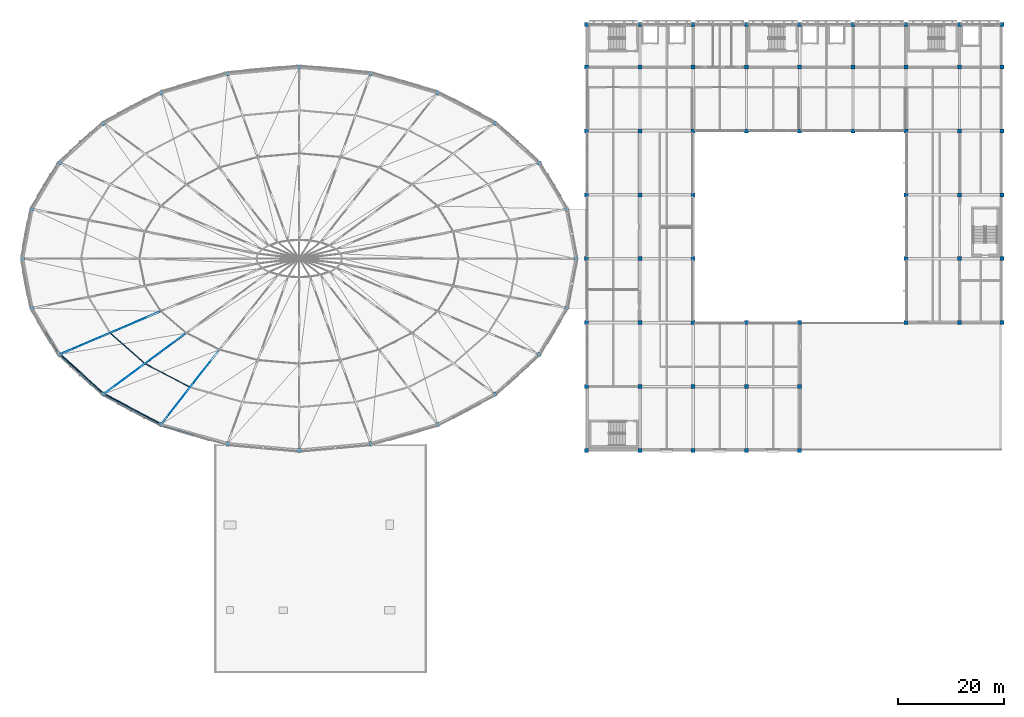
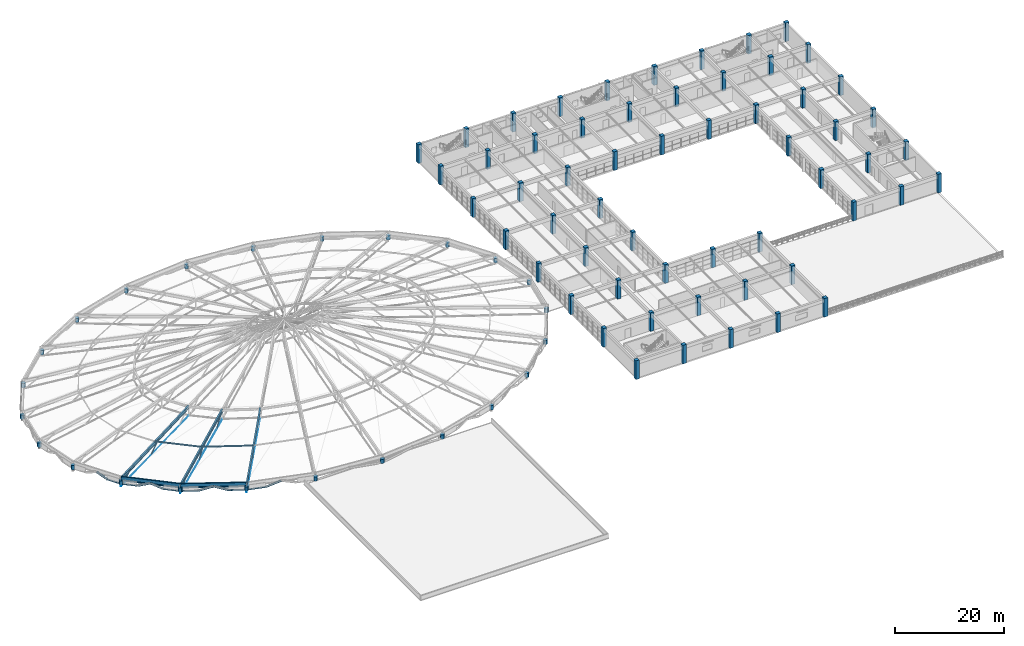
# One storey, part 1 of 83: 81 columns, 19 beams, 12 members.
"""IFC4 building model written with IfcOpenShell, lengths in metres."""

from ifc_helpers import new_model, si_unit, direction, frame, origin, origin_2d, place, context, subcontext, project, spatial, rectangle, hollow_rectangle, circle, i_section, extrude, material, material_profile, profile_set, type_object, element, save


model = new_model("IFC4")

# Units and contexts
model_context = context("Model", 3, precision=1e-05, world=origin(), true_north=direction((0.0, 1.0)))
body_context = subcontext(model_context, "Body", "Model", "MODEL_VIEW")
ifc_project = project(units=[si_unit("LENGTHUNIT", "METRE"), si_unit("AREAUNIT", "SQUARE_METRE"), si_unit("VOLUMEUNIT", "CUBIC_METRE"), si_unit("PLANEANGLEUNIT", "RADIAN"), si_unit("MASSUNIT", "GRAM", prefix="KILO")], contexts=[model_context])

# Site, building, storey
site_placement = place(None, origin())
site = spatial("IfcSite", under=ifc_project, at=site_placement, CompositionType="ELEMENT")
building_placement = place(site_placement, origin())
building = spatial("IfcBuilding", under=site, at=building_placement, Name="Kivolera Central Railway Station", CompositionType="ELEMENT")
storey_placement = place(building_placement, frame((0.0, 0.0, 14.39990234375)))
storey = spatial("IfcBuildingStorey", under=building, at=storey_placement, Name="L03", CompositionType="ELEMENT", Elevation=14.39990234375)

# Columns
ifc_material_1 = material(Name="Concrete C40/50", Category="concrete")
ifc_material_profile_1 = material_profile(ifc_material_1, rectangle(XDim=0.75, YDim=0.75, at=origin_2d()), Name="RC 750x750")
ifc_profile_set_1 = profile_set([ifc_material_profile_1], Name="Concrete C40/50")
column_type_1 = type_object("IfcColumnType", Name="COL-RC-750", PredefinedType="COLUMN", material=ifc_profile_set_1)
for number, where, z_axis, x_axis, name in (
    (1, (118.0, 54.0, 0.0), (0.0, 0.0, 1.0), (1.0, 0.0, 0.0), "L03 Wing Column 12-E"),
    (2, (118.0, 66.0, 0.0), (0.0, 0.0, 1.0), (1.0, 0.0, 0.0), "L03 Wing Column 12-F"),
    (3, (118.0, 78.0, 0.0), (0.0, 0.0, 1.0), (1.0, 0.0, 0.0), "L03 Wing Column 12-G"),
    (4, (118.0, 90.0, 0.0), (0.0, 0.0, 1.0), (1.0, 0.0, 0.0), "L03 Wing Column 12-H"),
    (5, (118.0, 102.0, 0.0), (0.0, 0.0, 1.0), (1.0, 0.0, 0.0), "L03 Wing Column 12-J"),
    (6, (118.0, 114.0, 0.0), (0.0, 0.0, 1.0), (1.0, 0.0, 0.0), "L03 Wing Column 12-K"),
    (7, (118.0, 126.0, 0.0), (0.0, 0.0, 1.0), (1.0, 0.0, 0.0), "L03 Wing Column 12-L"),
    (8, (118.0, 134.0, 0.0), (0.0, 0.0, 1.0), (1.0, 0.0, 0.0), "L03 Wing Column 12-M"),
    (9, (128.0, 54.0, 0.0), (0.0, 0.0, 1.0), (1.0, 0.0, 0.0), "L03 Wing Column 13-E"),
    (10, (128.0, 66.0, 0.0), (0.0, 0.0, 1.0), (1.0, 0.0, 0.0), "L03 Wing Column 13-F"),
    (11, (128.0, 78.0, 0.0), (0.0, 0.0, 1.0), (1.0, 0.0, 0.0), "L03 Wing Column 13-G"),
    (12, (128.0, 90.0, 0.0), (0.0, 0.0, 1.0), (1.0, 0.0, 0.0), "L03 Wing Column 13-H"),
    (13, (128.0, 102.0, 0.0), (0.0, 0.0, 1.0), (1.0, 0.0, 0.0), "L03 Wing Column 13-J"),
    (14, (128.0, 114.0, 0.0), (0.0, 0.0, 1.0), (1.0, 0.0, 0.0), "L03 Wing Column 13-K"),
    (15, (128.0, 126.0, 0.0), (0.0, 0.0, 1.0), (1.0, 0.0, 0.0), "L03 Wing Column 13-L"),
    (16, (128.0, 134.0, 0.0), (0.0, 0.0, 1.0), (1.0, 0.0, 0.0), "L03 Wing Column 13-M"),
    (17, (138.0, 54.0, 0.0), (0.0, 0.0, 1.0), (1.0, 0.0, 0.0), "L03 Wing Column 14-E"),
    (18, (138.0, 66.0, 0.0), (0.0, 0.0, 1.0), (1.0, 0.0, 0.0), "L03 Wing Column 14-F"),
    (19, (138.0, 78.0, 0.0), (0.0, 0.0, 1.0), (1.0, 0.0, 0.0), "L03 Wing Column 14-G"),
    (20, (138.0, 90.0, 0.0), (0.0, 0.0, 1.0), (1.0, 0.0, 0.0), "L03 Wing Column 14-H"),
    (21, (138.0, 102.0, 0.0), (0.0, 0.0, 1.0), (1.0, 0.0, 0.0), "L03 Wing Column 14-J"),
    (22, (138.0, 114.0, 0.0), (0.0, 0.0, 1.0), (1.0, 0.0, 0.0), "L03 Wing Column 14-K"),
    (23, (138.0, 126.0, 0.0), (0.0, 0.0, 1.0), (1.0, 0.0, 0.0), "L03 Wing Column 14-L"),
    (24, (138.0, 134.0, 0.0), (0.0, 0.0, 1.0), (1.0, 0.0, 0.0), "L03 Wing Column 14-M"),
    (25, (148.0, 54.0, 0.0), (0.0, 0.0, 1.0), (1.0, 0.0, 0.0), "L03 Wing Column 15-E"),
    (26, (148.0, 66.0, 0.0), (0.0, 0.0, 1.0), (1.0, 0.0, 0.0), "L03 Wing Column 15-F"),
    (27, (148.0, 78.0, 0.0), (0.0, 0.0, 1.0), (1.0, 0.0, 0.0), "L03 Wing Column 15-G"),
    (28, (148.0, 114.0, 0.0), (0.0, 0.0, 1.0), (1.0, 0.0, 0.0), "L03 Wing Column 15-K"),
    (29, (148.0, 126.0, 0.0), (0.0, 0.0, 1.0), (1.0, 0.0, 0.0), "L03 Wing Column 15-L"),
    (30, (148.0, 134.0, 0.0), (0.0, 0.0, 1.0), (1.0, 0.0, 0.0), "L03 Wing Column 15-M"),
    (31, (158.0, 54.0, 0.0), (0.0, 0.0, 1.0), (1.0, 0.0, 0.0), "L03 Wing Column 16-E"),
    (32, (158.0, 66.0, 0.0), (0.0, 0.0, 1.0), (1.0, 0.0, 0.0), "L03 Wing Column 16-F"),
    (33, (158.0, 78.0, 0.0), (0.0, 0.0, 1.0), (1.0, 0.0, 0.0), "L03 Wing Column 16-G"),
    (34, (158.0, 114.0, 0.0), (0.0, 0.0, 1.0), (1.0, 0.0, 0.0), "L03 Wing Column 16-K"),
    (35, (158.0, 126.0, 0.0), (0.0, 0.0, 1.0), (1.0, 0.0, 0.0), "L03 Wing Column 16-L"),
    (36, (158.0, 134.0, 0.0), (0.0, 0.0, 1.0), (1.0, 0.0, 0.0), "L03 Wing Column 16-M"),
    (37, (168.0, 114.0, 0.0), (0.0, 0.0, 1.0), (1.0, 0.0, 0.0), "L03 Wing Column 17-K"),
    (38, (168.0, 126.0, 0.0), (0.0, 0.0, 1.0), (1.0, 0.0, 0.0), "L03 Wing Column 17-L"),
    (39, (168.0, 134.0, 0.0), (0.0, 0.0, 1.0), (1.0, 0.0, 0.0), "L03 Wing Column 17-M"),
    (40, (178.0, 78.0, 0.0), (0.0, 0.0, 1.0), (1.0, 0.0, 0.0), "L03 Wing Column 18-G"),
    (41, (178.0, 90.0, 0.0), (0.0, 0.0, 1.0), (1.0, 0.0, 0.0), "L03 Wing Column 18-H"),
    (42, (178.0, 102.0, 0.0), (0.0, 0.0, 1.0), (1.0, 0.0, 0.0), "L03 Wing Column 18-J"),
    (43, (178.0, 114.0, 0.0), (0.0, 0.0, 1.0), (1.0, 0.0, 0.0), "L03 Wing Column 18-K"),
    (44, (178.0, 126.0, 0.0), (0.0, 0.0, 1.0), (1.0, 0.0, 0.0), "L03 Wing Column 18-L"),
    (45, (178.0, 134.0, 0.0), (0.0, 0.0, 1.0), (1.0, 0.0, 0.0), "L03 Wing Column 18-M"),
    (46, (188.0, 78.0, 0.0), (0.0, 0.0, 1.0), (1.0, 0.0, 0.0), "L03 Wing Column 19-G"),
    (47, (188.0, 90.0, 0.0), (0.0, 0.0, 1.0), (1.0, 0.0, 0.0), "L03 Wing Column 19-H"),
    (48, (188.0, 102.0, 0.0), (0.0, 0.0, 1.0), (1.0, 0.0, 0.0), "L03 Wing Column 19-J"),
    (49, (188.0, 114.0, 0.0), (0.0, 0.0, 1.0), (1.0, 0.0, 0.0), "L03 Wing Column 19-K"),
    (50, (188.0, 126.0, 0.0), (0.0, 0.0, 1.0), (1.0, 0.0, 0.0), "L03 Wing Column 19-L"),
    (51, (188.0, 134.0, 0.0), (0.0, 0.0, 1.0), (1.0, 0.0, 0.0), "L03 Wing Column 19-M"),
    (52, (196.0, 78.0, 0.0), (0.0, 0.0, 1.0), (1.0, 0.0, 0.0), "L03 Wing Column 20-G"),
    (53, (196.0, 90.0, 0.0), (0.0, 0.0, 1.0), (1.0, 0.0, 0.0), "L03 Wing Column 20-H"),
    (54, (196.0, 102.0, 0.0), (0.0, 0.0, 1.0), (1.0, 0.0, 0.0), "L03 Wing Column 20-J"),
    (55, (196.0, 114.0, 0.0), (0.0, 0.0, 1.0), (1.0, 0.0, 0.0), "L03 Wing Column 20-K"),
    (56, (196.0, 126.0, 0.0), (0.0, 0.0, 1.0), (1.0, 0.0, 0.0), "L03 Wing Column 20-L"),
    (57, (196.0, 134.0, 0.0), (0.0, 0.0, 1.0), (1.0, 0.0, 0.0), "L03 Wing Column 20-M"),
):
    element("IfcColumn", number, at=place(storey_placement, frame(where, z_axis=z_axis, x_axis=x_axis)), inside=storey, type_object=column_type_1, Name=name, PredefinedType="COLUMN", context=body_context, shape_type="SweptSolid", body=[
        extrude(rectangle(XDim=0.75, YDim=0.75, at=origin_2d()), origin(), (0.0, 0.0, 1.0), 4.2001953125),
    ])
ifc_material_profile_2 = material_profile(ifc_material_1, circle(Radius=0.39990234375, at=origin_2d()), Name="RC D800")
ifc_profile_set_2 = profile_set([ifc_material_profile_2], Name="Concrete C40/50")
column_type_2 = type_object("IfcColumnType", Name="COL-RC-D800", PredefinedType="COLUMN", material=ifc_profile_set_2)
for number, where, z_axis, x_axis, name in (
    (58, (116.0, 90.0, 0.0), (0.0, 0.0, 1.0), (1.0, 0.0, 0.0), "L03 Oval Drum Perimeter Column P01"),
    (59, (114.22802734375, 99.31689453125, 0.0), (0.0, 0.0, 1.0), (1.0, 0.0, 0.0), "L03 Oval Drum Perimeter Column P02"),
    (60, (109.032958984375, 108.0, 0.0), (0.0, 0.0, 1.0), (1.0, 0.0, 0.0), "L03 Oval Drum Perimeter Column P03"),
    (61, (100.77001953125, 115.4560546875, 0.0), (0.0, 0.0, 1.0), (1.0, 0.0, 0.0), "L03 Oval Drum Perimeter Column P04"),
    (62, (90.0, 121.177001953125, 0.0), (0.0, 0.0, 1.0), (1.0, 0.0, 0.0), "L03 Oval Drum Perimeter Column P05"),
    (63, (77.458984375, 124.77294921875, 0.0), (0.0, 0.0, 1.0), (1.0, 0.0, 0.0), "L03 Oval Drum Perimeter Column P06"),
    (64, (64.0, 126.0, 0.0), (0.0, 0.0, 1.0), (1.0, 0.0, 0.0), "L03 Oval Drum Perimeter Column P07"),
    (65, (50.541015625, 124.77294921875, 0.0), (0.0, 0.0, 1.0), (1.0, 0.0, 0.0), "L03 Oval Drum Perimeter Column P08"),
    (66, (38.0, 121.177001953125, 0.0), (0.0, 0.0, 1.0), (1.0, 0.0, 0.0), "L03 Oval Drum Perimeter Column P09"),
    (67, (27.22998046875, 115.4560546875, 0.0), (0.0, 0.0, 1.0), (1.0, 0.0, 0.0), "L03 Oval Drum Perimeter Column P10"),
    (68, (18.967041015625, 108.0, 0.0), (0.0, 0.0, 1.0), (1.0, 0.0, 0.0), "L03 Oval Drum Perimeter Column P11"),
    (69, (13.77197265625, 99.31689453125, 0.0), (0.0, 0.0, 1.0), (1.0, 0.0, 0.0), "L03 Oval Drum Perimeter Column P12"),
    (70, (12.0, 90.0, 0.0), (0.0, 0.0, 1.0), (1.0, 0.0, 0.0), "L03 Oval Drum Perimeter Column P13"),
    (71, (13.77197265625, 80.68310546875, 0.0), (0.0, 0.0, 1.0), (1.0, 0.0, 0.0), "L03 Oval Drum Perimeter Column P14"),
    (72, (18.967041015625, 72.0, 0.0), (0.0, 0.0, 1.0), (1.0, 0.0, 0.0), "L03 Oval Drum Perimeter Column P15"),
    (73, (27.22998046875, 64.5439453125, 0.0), (0.0, 0.0, 1.0), (1.0, 0.0, 0.0), "L03 Oval Drum Perimeter Column P16"),
    (74, (38.0, 58.822998046875, 0.0), (0.0, 0.0, 1.0), (1.0, 0.0, 0.0), "L03 Oval Drum Perimeter Column P17"),
    (75, (50.541015625, 55.22705078125, 0.0), (0.0, 0.0, 1.0), (1.0, 0.0, 0.0), "L03 Oval Drum Perimeter Column P18"),
    (76, (64.0, 54.0, 0.0), (0.0, 0.0, 1.0), (1.0, 0.0, 0.0), "L03 Oval Drum Perimeter Column P19"),
    (77, (77.458984375, 55.22705078125, 0.0), (0.0, 0.0, 1.0), (1.0, 0.0, 0.0), "L03 Oval Drum Perimeter Column P20"),
    (78, (90.0, 58.822998046875, 0.0), (0.0, 0.0, 1.0), (1.0, 0.0, 0.0), "L03 Oval Drum Perimeter Column P21"),
    (79, (100.77001953125, 64.5439453125, 0.0), (0.0, 0.0, 1.0), (1.0, 0.0, 0.0), "L03 Oval Drum Perimeter Column P22"),
    (80, (109.032958984375, 72.0, 0.0), (0.0, 0.0, 1.0), (1.0, 0.0, 0.0), "L03 Oval Drum Perimeter Column P23"),
    (81, (114.22802734375, 80.68310546875, 0.0), (0.0, 0.0, 1.0), (1.0, 0.0, 0.0), "L03 Oval Drum Perimeter Column P24"),
):
    element("IfcColumn", number, at=place(storey_placement, frame(where, z_axis=z_axis, x_axis=x_axis)), inside=storey, type_object=column_type_2, Name=name, PredefinedType="COLUMN", context=body_context, shape_type="SweptSolid", body=[
        extrude(circle(Radius=0.39990234375, at=origin_2d()), origin(), (0.0, 0.0, 1.0), 0.960205078125),
    ])

# Beams
ifc_material_2 = material(Name="Steel S355", Category="steel")
ifc_material_profile_3 = material_profile(ifc_material_2, hollow_rectangle(XDim=0.14990234375, YDim=0.300048828125, WallThickness=0.012451171875, at=origin_2d()), Name="RHS 300x150x12.5")
ifc_profile_set_3 = profile_set([ifc_material_profile_3], Name="Steel S355")
beam_type_1 = type_object("IfcBeamType", Name="BM-ARCH-HOOD", PredefinedType="SPANDREL", material=ifc_profile_set_3)
beam_1_placement = place(storey_placement, frame((19.327880859375, 71.8701171875, 0.735107421875), z_axis=(0.742399938854, -0.669956961894, 0.0), x_axis=(0.669956961894, 0.742399938854, 0.0)))
element("IfcBeam", 82, at=beam_1_placement, inside=storey, type_object=beam_type_1, Name="Lantern Spandrel Hood Beam 15", PredefinedType="SPANDREL", context=body_context, shape_type="SweptSolid", body=[
    extrude(hollow_rectangle(XDim=0.14990234375, YDim=0.300048828125, WallThickness=0.012451171875, at=origin_2d()), origin(), (0.0, 0.0, 1.0), 10.42041015625),
])
beam_2_placement = place(storey_placement, frame((27.612060546875, 64.506103515625, 0.735107421875), z_axis=(0.883122599964, -0.46914227419, 0.0), x_axis=(0.46914227419, 0.883122599964, 0.0)))
element("IfcBeam", 83, at=beam_2_placement, inside=storey, type_object=beam_type_1, Name="Lantern Spandrel Hood Beam 16", PredefinedType="SPANDREL", context=body_context, shape_type="SweptSolid", body=[
    extrude(hollow_rectangle(XDim=0.14990234375, YDim=0.300048828125, WallThickness=0.012451171875, at=origin_2d()), origin(), (0.0, 0.0, 1.0), 11.485107421875),
])
ifc_material_profile_4 = material_profile(ifc_material_2, i_section(OverallWidth=0.300048828125, OverallDepth=0.699951171875, WebThickness=0.01708984375, FlangeThickness=0.031982421875, FilletRadius=0.027099609375, at=origin_2d()), Name="HEB 700")
ifc_profile_set_4 = profile_set([ifc_material_profile_4], Name="Steel S355")
beam_type_2 = type_object("IfcBeamType", Name="BM-DRB-HEB700", PredefinedType="BEAM", material=ifc_profile_set_4)
beam_3_placement = place(storey_placement, frame((18.967041015625, 72.0, 1.18017578125), z_axis=(0.897967287965, 0.382951053263, 0.216802307528), x_axis=(-0.392281255326, 0.919845322171, 0.0)))
element("IfcBeam", 84, at=beam_3_placement, inside=storey, type_object=beam_type_2, Name="Oval Dome Radial Arch Rib Outer Segment DRB1-15", PredefinedType="BEAM", context=body_context, shape_type="SweptSolid", body=[
    extrude(i_section(OverallWidth=0.300048828125, OverallDepth=0.699951171875, WebThickness=0.01708984375, FlangeThickness=0.031982421875, FilletRadius=0.027099609375, at=origin_2d()), origin(), (0.0, 0.0, 1.0), 21.216796875),
])
beam_4_placement = place(storey_placement, frame((38.0, 58.822998046875, 1.18017578125), z_axis=(0.596376430402, 0.762982212751, 0.249385838184), x_axis=(-0.787875774428, 0.61583420177, 0.0)))
element("IfcBeam", 85, at=beam_4_placement, inside=storey, type_object=beam_type_2, Name="Oval Dome Radial Arch Rib Outer Segment DRB1-17", PredefinedType="BEAM", context=body_context, shape_type="SweptSolid", body=[
    extrude(i_section(OverallWidth=0.300048828125, OverallDepth=0.699951171875, WebThickness=0.01708984375, FlangeThickness=0.031982421875, FilletRadius=0.027099609375, at=origin_2d()), origin(), (0.0, 0.0, 1.0), 18.44482421875),
])
ifc_material_profile_5 = material_profile(ifc_material_2, i_section(OverallWidth=0.300048828125, OverallDepth=0.800048828125, WebThickness=0.017578125, FlangeThickness=0.032958984375, FilletRadius=0.030029296875, at=origin_2d()), Name="HEB 800")
ifc_profile_set_5 = profile_set([ifc_material_profile_5], Name="Steel S355")
beam_type_3 = type_object("IfcBeamType", Name="BM-DRB-HEB800", PredefinedType="BEAM", material=ifc_profile_set_5)
beam_5_placement = place(storey_placement, frame((27.22998046875, 64.5439453125, 1.18017578125), z_axis=(0.782541033898, 0.578008518918, 0.231377791338), x_axis=(-0.594130867833, 0.804368393143, 0.0)))
element("IfcBeam", 86, at=beam_5_placement, inside=storey, type_object=beam_type_3, Name="Oval Dome Radial Arch Rib Outer Segment DRB1-16", PredefinedType="BEAM", context=body_context, shape_type="SweptSolid", body=[
    extrude(i_section(OverallWidth=0.300048828125, OverallDepth=0.800048828125, WebThickness=0.017578125, FlangeThickness=0.032958984375, FilletRadius=0.030029296875, at=origin_2d()), origin(), (0.0, 0.0, 1.0), 19.88037109375),
])
ifc_material_profile_6 = material_profile(ifc_material_2, i_section(OverallWidth=0.300048828125, OverallDepth=0.300048828125, WebThickness=0.010986328125, FlangeThickness=0.01904296875, FilletRadius=0.027099609375, at=origin_2d()), Name="HEB 300")
ifc_profile_set_6 = profile_set([ifc_material_profile_6], Name="Steel S355")
beam_type_4 = type_object("IfcBeamType", Name="BM-LANT-ARCH", PredefinedType="SPANDREL", material=ifc_profile_set_6)
beam_6_placement = place(storey_placement, frame((16.26708984375, 76.280029296875, 1.06005859375), z_axis=(0.476772627919, -0.797265877485, -0.370209375713), x_axis=(0.85824565616, 0.513239119399, 0.0)))
element("IfcBeam", 87, at=beam_6_placement, inside=storey, type_object=beam_type_4, Name="Oval Lantern Structural Arch Rib 14.4", PredefinedType="SPANDREL", context=body_context, shape_type="SweptSolid", body=[
    extrude(i_section(OverallWidth=0.300048828125, OverallDepth=0.300048828125, WebThickness=0.010986328125, FlangeThickness=0.01904296875, FilletRadius=0.027099609375, at=origin_2d()), origin(), (0.0, 0.0, 1.0), 2.430908203125),
])
for number, where, z_axis, x_axis, name in (
    (88, (21.160888671875, 69.85791015625, 0.16015625), (0.698764882595, -0.630146850874, 0.338589109668), (0.669703326013, 0.742628746499, 0.0), "Oval Lantern Structural Arch Rib 15.3"),
    (89, (23.01806640625, 68.18310546875, 1.06005859375), (0.698677422423, -0.630242676209, -0.338591241001), (0.669805712586, 0.742536401389, 0.0), "Oval Lantern Structural Arch Rib 15.4"),
):
    element("IfcBeam", number, at=place(storey_placement, frame(where, z_axis=z_axis, x_axis=x_axis)), inside=storey, type_object=beam_type_4, Name=name, PredefinedType="SPANDREL", context=body_context, shape_type="SweptSolid", body=[
        extrude(i_section(OverallWidth=0.300048828125, OverallDepth=0.300048828125, WebThickness=0.010986328125, FlangeThickness=0.01904296875, FilletRadius=0.027099609375, at=origin_2d()), origin(), (0.0, 0.0, 1.0), 2.65771484375),
    ])
beam_7_placement = place(storey_placement, frame((30.1240234375, 62.87109375, 0.16015625), z_axis=(0.839588818924, -0.44588951011, 0.310279164483), x_axis=(0.469038686522, 0.883177621176, 0.0)))
element("IfcBeam", 90, at=beam_7_placement, inside=storey, type_object=beam_type_4, Name="Oval Lantern Structural Arch Rib 16.3", PredefinedType="SPANDREL", context=body_context, shape_type="SweptSolid", body=[
    extrude(i_section(OverallWidth=0.300048828125, OverallDepth=0.300048828125, WebThickness=0.010986328125, FlangeThickness=0.01904296875, FilletRadius=0.027099609375, at=origin_2d()), origin(), (0.0, 0.0, 1.0), 2.900390625),
])
beam_8_placement = place(storey_placement, frame((32.55908203125, 61.577880859375, 1.06005859375), z_axis=(0.839369949803, -0.44624944668, -0.310353860465), x_axis=(0.469429350258, 0.882970036364, 0.0)))
element("IfcBeam", 91, at=beam_8_placement, inside=storey, type_object=beam_type_4, Name="Oval Lantern Structural Arch Rib 16.4", PredefinedType="SPANDREL", context=body_context, shape_type="SweptSolid", body=[
    extrude(i_section(OverallWidth=0.300048828125, OverallDepth=0.300048828125, WebThickness=0.010986328125, FlangeThickness=0.01904296875, FilletRadius=0.027099609375, at=origin_2d()), origin(), (0.0, 0.0, 1.0), 2.899658203125),
])
beam_9_placement = place(storey_placement, frame((41.39111328125, 57.72607421875, 0.16015625), z_axis=(0.919706547271, -0.263753880718, 0.290815675838), x_axis=(0.275668522884, 0.961252758379, 0.0)))
element("IfcBeam", 92, at=beam_9_placement, inside=storey, type_object=beam_type_4, Name="Oval Lantern Structural Arch Rib 17.3", PredefinedType="SPANDREL", context=body_context, shape_type="SweptSolid", body=[
    extrude(i_section(OverallWidth=0.300048828125, OverallDepth=0.300048828125, WebThickness=0.010986328125, FlangeThickness=0.01904296875, FilletRadius=0.027099609375, at=origin_2d()), origin(), (0.0, 0.0, 1.0), 3.094482421875),
])
ifc_material_profile_7 = material_profile(ifc_material_2, i_section(OverallWidth=0.239990234375, OverallDepth=0.22998046875, WebThickness=0.007568359375, FlangeThickness=0.011962890625, FilletRadius=0.02099609375, at=origin_2d()), Name="HEA 240")
ifc_profile_set_7 = profile_set([ifc_material_profile_7], Name="Steel S355")
beam_type_5 = type_object("IfcBeamType", Name="BM-LANT-HTIE", PredefinedType="SPANDREL", material=ifc_profile_set_7)
beam_10_placement = place(storey_placement, frame((17.426025390625, 74.342041015625, 0.16015625), z_axis=(0.51340920348, -0.858143921369, 0.0), x_axis=(0.858143921369, 0.51340920348, 0.0)))
element("IfcBeam", 93, at=beam_10_placement, inside=storey, type_object=beam_type_5, Name="Lantern Arch Spandrel Haunch Tie 14R", PredefinedType="SPANDREL", context=body_context, shape_type="SweptSolid", body=[
    extrude(i_section(OverallWidth=0.239990234375, OverallDepth=0.22998046875, WebThickness=0.007568359375, FlangeThickness=0.011962890625, FilletRadius=0.02099609375, at=origin_2d()), origin(), (0.0, 0.0, 1.0), 2.446044921875),
])
for number, where, z_axis, x_axis, name in (
    (94, (19.14990234375, 71.673095703125, 0.16015625), (0.742320957903, -0.670044472746, 0.0), (0.670044472746, 0.742320957903, 0.0), "Lantern Arch Spandrel Haunch Tie 15L"),
    (95, (24.875, 66.508056640625, 0.16015625), (0.742365783712, -0.669994808318, 0.0), (0.669994808318, 0.742365783712, 0.0), "Lantern Arch Spandrel Haunch Tie 15R"),
):
    element("IfcBeam", number, at=place(storey_placement, frame(where, z_axis=z_axis, x_axis=x_axis)), inside=storey, type_object=beam_type_5, Name=name, PredefinedType="SPANDREL", context=body_context, shape_type="SweptSolid", body=[
        extrude(i_section(OverallWidth=0.239990234375, OverallDepth=0.22998046875, WebThickness=0.007568359375, FlangeThickness=0.011962890625, FilletRadius=0.02099609375, at=origin_2d()), origin(), (0.0, 0.0, 1.0), 2.708984375),
    ])
for number, where, z_axis, x_axis, name in (
    (96, (27.487060546875, 64.27099609375, 0.16015625), (0.883252264421, -0.468898109822, 0.0), (0.468898109822, 0.883252264421, 0.0), "Lantern Arch Spandrel Haunch Tie 16L"),
    (97, (34.992919921875, 60.283935546875, 0.16015625), (0.883252264421, -0.468898109822, 0.0), (0.468898109822, 0.883252264421, 0.0), "Lantern Arch Spandrel Haunch Tie 16R"),
):
    element("IfcBeam", number, at=place(storey_placement, frame(where, z_axis=z_axis, x_axis=x_axis)), inside=storey, type_object=beam_type_5, Name=name, PredefinedType="SPANDREL", context=body_context, shape_type="SweptSolid", body=[
        extrude(i_section(OverallWidth=0.239990234375, OverallDepth=0.22998046875, WebThickness=0.007568359375, FlangeThickness=0.011962890625, FilletRadius=0.02099609375, at=origin_2d()), origin(), (0.0, 0.0, 1.0), 2.985595703125),
    ])
beam_11_placement = place(storey_placement, frame((38.30810546875, 58.610107421875, 0.16015625), z_axis=(0.961262114071, -0.275635897612, 0.0), x_axis=(0.275635897612, 0.961262114071, 0.0)))
element("IfcBeam", 98, at=beam_11_placement, inside=storey, type_object=beam_type_5, Name="Lantern Arch Spandrel Haunch Tie 17L", PredefinedType="SPANDREL", context=body_context, shape_type="SweptSolid", body=[
    extrude(i_section(OverallWidth=0.239990234375, OverallDepth=0.22998046875, WebThickness=0.007568359375, FlangeThickness=0.011962890625, FilletRadius=0.02099609375, at=origin_2d()), origin(), (0.0, 0.0, 1.0), 3.207275390625),
])
ifc_material_profile_8 = material_profile(ifc_material_2, i_section(OverallWidth=0.300048828125, OverallDepth=0.89990234375, WebThickness=0.0185546875, FlangeThickness=0.034912109375, FilletRadius=0.030029296875, at=origin_2d()), Name="HEB 900")
ifc_profile_set_8 = profile_set([ifc_material_profile_8], Name="Steel S355")
beam_type_6 = type_object("IfcBeamType", Name="BM-ORB-HEB900", PredefinedType="BEAM", material=ifc_profile_set_8)
beam_12_placement = place(storey_placement, frame((18.967041015625, 72.0, 1.35009765625), z_axis=(0.74242638035, -0.669927660095, 0.0), x_axis=(0.669927660095, 0.74242638035, 0.0)))
element("IfcBeam", 99, at=beam_12_placement, inside=storey, type_object=beam_type_6, Name="Oval Dome Compression Ring Beam ORB-15", PredefinedType="BEAM", context=body_context, shape_type="SweptSolid", body=[
    extrude(i_section(OverallWidth=0.300048828125, OverallDepth=0.89990234375, WebThickness=0.0185546875, FlangeThickness=0.034912109375, FilletRadius=0.030029296875, at=origin_2d()), origin(), (0.0, 0.0, 1.0), 11.129638671875),
])
beam_13_placement = place(storey_placement, frame((27.22998046875, 64.5439453125, 1.35009765625), z_axis=(0.883136972992, -0.469115217122, 0.0), x_axis=(0.469115217122, 0.883136972992, 0.0)))
element("IfcBeam", 100, at=beam_13_placement, inside=storey, type_object=beam_type_6, Name="Oval Dome Compression Ring Beam ORB-16", PredefinedType="BEAM", context=body_context, shape_type="SweptSolid", body=[
    extrude(i_section(OverallWidth=0.300048828125, OverallDepth=0.89990234375, WebThickness=0.0185546875, FlangeThickness=0.034912109375, FilletRadius=0.030029296875, at=origin_2d()), origin(), (0.0, 0.0, 1.0), 12.195068359375),
])

# Members
ifc_material_3 = material(Name="Spiral strand steel S460", Category="steel")
ifc_material_profile_9 = material_profile(ifc_material_3, circle(Radius=0.031982421875, at=origin_2d()), Name="CABLE D64")
ifc_profile_set_9 = profile_set([ifc_material_profile_9], Name="Spiral strand steel S460")
member_type_1 = type_object("IfcMemberType", Name="MEM-CABLE-D64", PredefinedType="USERDEFINED", material=ifc_profile_set_9)
member_1_placement = place(storey_placement, frame((18.967041015625, 72.0, -0.449951171875), z_axis=(0.901242554001, 0.384347837528, 0.200096473347), x_axis=(-0.392281255326, 0.919845322171, 0.0)))
element("IfcMember", 101, at=member_1_placement, inside=storey, type_object=member_type_1, Name="Dome Radial Spiral-Strand Tension Cable RC1-15", ObjectType="TENSION_CABLE", PredefinedType="USERDEFINED", context=body_context, shape_type="SweptSolid", body=[
    extrude(circle(Radius=0.031982421875, at=origin_2d()), origin(), (0.0, 0.0, 1.0), 21.1396484375),
])
member_2_placement = place(storey_placement, frame((27.22998046875, 64.5439453125, -0.449951171875), z_axis=(0.785794449216, 0.580411590051, 0.213657365229), x_axis=(-0.594130867833, 0.804368393143, 0.0)))
element("IfcMember", 102, at=member_2_placement, inside=storey, type_object=member_type_1, Name="Dome Radial Spiral-Strand Tension Cable RC1-16", ObjectType="TENSION_CABLE", PredefinedType="USERDEFINED", context=body_context, shape_type="SweptSolid", body=[
    extrude(circle(Radius=0.031982421875, at=origin_2d()), origin(), (0.0, 0.0, 1.0), 19.7978515625),
])
member_3_placement = place(storey_placement, frame((38.0, 58.822998046875, -0.449951171875), z_axis=(0.599259744519, 0.766671019472, 0.23044154682), x_axis=(-0.787875774428, 0.61583420177, 0.0)))
element("IfcMember", 103, at=member_3_placement, inside=storey, type_object=member_type_1, Name="Dome Radial Spiral-Strand Tension Cable RC1-17", ObjectType="TENSION_CABLE", PredefinedType="USERDEFINED", context=body_context, shape_type="SweptSolid", body=[
    extrude(circle(Radius=0.031982421875, at=origin_2d()), origin(), (0.0, 0.0, 1.0), 18.35595703125),
])
ifc_material_profile_10 = material_profile(ifc_material_2, i_section(OverallWidth=0.1201171875, OverallDepth=0.239990234375, WebThickness=0.006103515625, FlangeThickness=0.009765625, FilletRadius=0.014892578125, at=origin_2d()), Name="IPE 240")
ifc_profile_set_10 = profile_set([ifc_material_profile_10], Name="Steel S355")
member_type_2 = type_object("IfcMemberType", Name="MEM-PUR-IPE240", PredefinedType="PURLIN", material=ifc_profile_set_10)
member_4_placement = place(storey_placement, frame((28.492919921875, 76.06201171875, 3.775146484375), z_axis=(0.748507030998, -0.663126854038, 0.0), x_axis=(0.663126854038, 0.748507030998, 0.0)))
element("IfcMember", 104, at=member_4_placement, inside=storey, type_object=member_type_2, Name="Dome Outer Hoop Purlin DPUR1-15", PredefinedType="PURLIN", context=body_context, shape_type="SweptSolid", body=[
    extrude(i_section(OverallWidth=0.1201171875, OverallDepth=0.239990234375, WebThickness=0.006103515625, FlangeThickness=0.009765625, FilletRadius=0.014892578125, at=origin_2d()), origin(), (0.0, 0.0, 1.0), 8.7041015625),
])
member_5_placement = place(storey_placement, frame((35.008056640625, 70.2900390625, 3.775146484375), z_axis=(0.886560303413, -0.462613043928, 0.0), x_axis=(0.462613043928, 0.886560303413, 0.0)))
element("IfcMember", 105, at=member_5_placement, inside=storey, type_object=member_type_2, Name="Dome Outer Hoop Purlin DPUR1-16", PredefinedType="PURLIN", context=body_context, shape_type="SweptSolid", body=[
    extrude(i_section(OverallWidth=0.1201171875, OverallDepth=0.239990234375, WebThickness=0.006103515625, FlangeThickness=0.009765625, FilletRadius=0.014892578125, at=origin_2d()), origin(), (0.0, 0.0, 1.0), 9.57861328125),
])
ifc_material_profile_11 = material_profile(ifc_material_2, i_section(OverallWidth=0.199951171875, OverallDepth=0.199951171875, WebThickness=0.009033203125, FlangeThickness=0.014892578125, FilletRadius=0.01806640625, at=origin_2d()), Name="HEB 200")
ifc_profile_set_11 = profile_set([ifc_material_profile_11], Name="Steel S355")
member_type_3 = type_object("IfcMemberType", Name="MEM-RAF-HEB200", PredefinedType="RAFTER", material=ifc_profile_set_11)
member_6_placement = place(storey_placement, frame((19.347900390625, 72.162109375, -0.364990234375), z_axis=(0.69019647552, 0.294608640821, 0.660934621528), x_axis=(-0.392579383013, 0.919718124228, 0.0)))
element("IfcMember", 106, at=member_6_placement, inside=storey, type_object=member_type_3, Name="Dome Radial Truss Raking Web DWEB1-15.1", PredefinedType="RAFTER", context=body_context, shape_type="SweptSolid", body=[
    extrude(i_section(OverallWidth=0.199951171875, OverallDepth=0.199951171875, WebThickness=0.009033203125, FlangeThickness=0.014892578125, FilletRadius=0.01806640625, at=origin_2d()), origin(), (0.0, 0.0, 1.0), 3.312255859375),
])
member_7_placement = place(storey_placement, frame((27.35009765625, 75.574951171875, 1.4111328125), z_axis=(0.669001075137, 0.285377581341, 0.686292355729), x_axis=(-0.392365547728, 0.9198093699, 0.0)))
element("IfcMember", 107, at=member_7_placement, inside=storey, type_object=member_type_3, Name="Dome Radial Truss Raking Web DWEB1-15.2", PredefinedType="RAFTER", context=body_context, shape_type="SweptSolid", body=[
    extrude(i_section(OverallWidth=0.199951171875, OverallDepth=0.199951171875, WebThickness=0.009033203125, FlangeThickness=0.014892578125, FilletRadius=0.01806640625, at=origin_2d()), origin(), (0.0, 0.0, 1.0), 3.416748046875),
])
member_8_placement = place(storey_placement, frame((27.541015625, 64.77392578125, -0.364990234375), z_axis=(0.585131720573, 0.432249129007, 0.686135234521), x_axis=(-0.594178102773, 0.804333501842, 0.0)))
element("IfcMember", 108, at=member_8_placement, inside=storey, type_object=member_type_3, Name="Dome Radial Truss Raking Web DWEB1-16.1", PredefinedType="RAFTER", context=body_context, shape_type="SweptSolid", body=[
    extrude(i_section(OverallWidth=0.199951171875, OverallDepth=0.199951171875, WebThickness=0.009033203125, FlangeThickness=0.014892578125, FilletRadius=0.01806640625, at=origin_2d()), origin(), (0.0, 0.0, 1.0), 3.190673828125),
])
member_9_placement = place(storey_placement, frame((34.074951171875, 69.60009765625, 1.4111328125), z_axis=(0.56585090259, 0.417931986116, 0.710735964349), x_axis=(-0.594110048077, 0.80438377083, 0.0)))
element("IfcMember", 109, at=member_9_placement, inside=storey, type_object=member_type_3, Name="Dome Radial Truss Raking Web DWEB1-16.2", PredefinedType="RAFTER", context=body_context, shape_type="SweptSolid", body=[
    extrude(i_section(OverallWidth=0.199951171875, OverallDepth=0.199951171875, WebThickness=0.009033203125, FlangeThickness=0.014892578125, FilletRadius=0.01806640625, at=origin_2d()), origin(), (0.0, 0.0, 1.0), 3.29931640625),
])
member_10_placement = place(storey_placement, frame((40.60888671875, 74.426025390625, 3.18798828125), z_axis=(0.547334742737, 0.404203272356, 0.732833128351), x_axis=(-0.59405978192, 0.804420894498, 0.0)))
element("IfcMember", 110, at=member_10_placement, inside=storey, type_object=member_type_3, Name="Dome Radial Truss Raking Web DWEB1-16.3", PredefinedType="RAFTER", context=body_context, shape_type="SweptSolid", body=[
    extrude(i_section(OverallWidth=0.199951171875, OverallDepth=0.199951171875, WebThickness=0.009033203125, FlangeThickness=0.014892578125, FilletRadius=0.01806640625, at=origin_2d()), origin(), (0.0, 0.0, 1.0), 3.411376953125),
])
member_11_placement = place(storey_placement, frame((38.219970703125, 59.10400390625, -0.364990234375), z_axis=(0.43083807308, 0.551236876192, 0.71450434646), x_axis=(-0.787896583564, 0.615807578394, 0.0)))
element("IfcMember", 111, at=member_11_placement, inside=storey, type_object=member_type_3, Name="Dome Radial Truss Raking Web DWEB1-17.1", PredefinedType="RAFTER", context=body_context, shape_type="SweptSolid", body=[
    extrude(i_section(OverallWidth=0.199951171875, OverallDepth=0.199951171875, WebThickness=0.009033203125, FlangeThickness=0.014892578125, FilletRadius=0.01806640625, at=origin_2d()), origin(), (0.0, 0.0, 1.0), 3.06396484375),
])
member_12_placement = place(storey_placement, frame((42.840087890625, 65.014892578125, 1.4111328125), z_axis=(0.415412014592, 0.531675125594, 0.7380748058), x_axis=(-0.787995020105, 0.61568161276, 0.0)))
element("IfcMember", 112, at=member_12_placement, inside=storey, type_object=member_type_3, Name="Dome Radial Truss Raking Web DWEB1-17.2", PredefinedType="RAFTER", context=body_context, shape_type="SweptSolid", body=[
    extrude(i_section(OverallWidth=0.199951171875, OverallDepth=0.199951171875, WebThickness=0.009033203125, FlangeThickness=0.014892578125, FilletRadius=0.01806640625, at=origin_2d()), origin(), (0.0, 0.0, 1.0), 3.17724609375),
])

save(model, "model.ifc")
